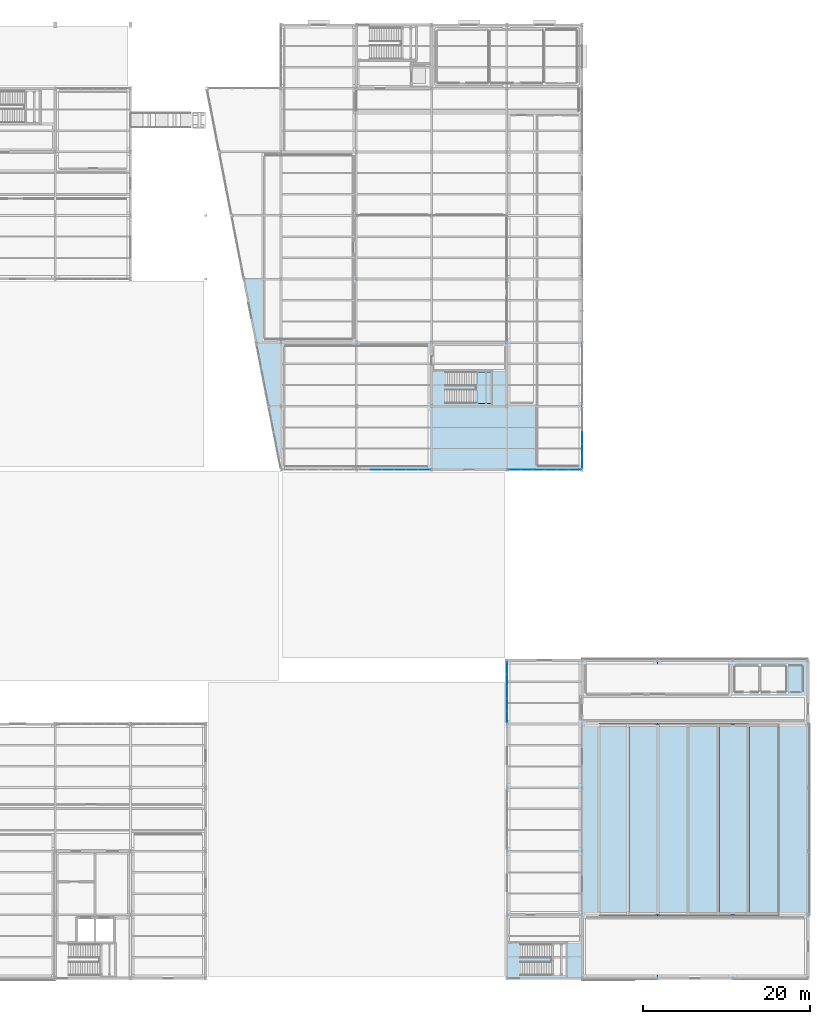
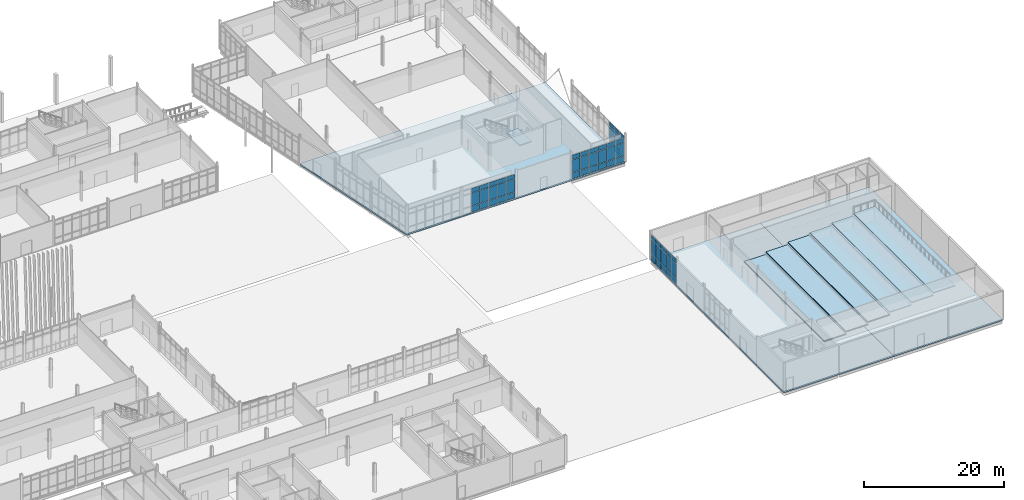
# One storey, part 132 of 161: 57 plates, 10 slabs, 5 elements without a shape of their own.
"""IFC4 building model written with IfcOpenShell, lengths in metres."""

from ifc_helpers import new_model, si_unit, direction, frame, origin, origin_2d, place, context, subcontext, project, spatial, polyline, rectangle, outline, extrude, material, layer, layer_set, type_object, element, aggregate, save


model = new_model("IFC4")

# Units and contexts
model_context = context("Model", 3, precision=1e-05, world=origin(), true_north=direction((0.0, 1.0)))
body_context = subcontext(model_context, "Body", "Model", "MODEL_VIEW")
ifc_project = project(units=[si_unit("LENGTHUNIT", "METRE"), si_unit("AREAUNIT", "SQUARE_METRE"), si_unit("VOLUMEUNIT", "CUBIC_METRE"), si_unit("PLANEANGLEUNIT", "RADIAN"), si_unit("MASSUNIT", "GRAM", prefix="KILO")], contexts=[model_context])

# Site, building, storey
site_placement = place(None, origin())
site = spatial("IfcSite", under=ifc_project, at=site_placement, CompositionType="ELEMENT")
building_placement = place(site_placement, origin())
building = spatial("IfcBuilding", under=site, at=building_placement, Name="Caisbarro Railhouse Central Library", CompositionType="ELEMENT")
storey_placement = place(building_placement, origin())
storey = spatial("IfcBuildingStorey", under=building, at=storey_placement, Name="L00", CompositionType="ELEMENT", Elevation=0.0)

# Curtain wall, plates
ifc_material_1 = material(Name="Anodised architectural aluminium", Category="aluminium")
curtain_wall_type_1 = type_object("IfcCurtainWallType", Name="CW-CW03", PredefinedType="NOTDEFINED", material=ifc_material_1)
curtain_wall_1_placement = place(storey_placement, origin())
curtain_wall_1 = element("IfcCurtainWall", 1, at=curtain_wall_1_placement, inside=storey, type_object=curtain_wall_type_1, Name="CW03 curtain wall L00 #106", PredefinedType="NOTDEFINED")
ifc_material_2 = material(Name="Double low-e laminated solar-control glass", Category="glass")
ifc_layer_1 = layer(ifc_material_2, 0.01806640625, Name="Double low-e laminated solar-control glass")
ifc_layer_set_1 = layer_set([ifc_layer_1], Name="Double low-e laminated solar-control glass")
plate_type_1 = type_object("IfcPlateType", Name="CWP-CP18", PredefinedType="CURTAIN_PANEL", material=ifc_layer_set_1)
plate_1_placement = place(storey_placement, frame((153.0, 61.704345703125, 0.06494140625), z_axis=(0.0, 0.0, 1.0), x_axis=(0.0, 1.0, 0.0)))
plate_1 = element("IfcPlate", 2, at=plate_1_placement, type_object=plate_type_1, Name="CW03 panel 1.1", PredefinedType="CURTAIN_PANEL", context=body_context, shape_type="SweptSolid", body=[
    extrude(rectangle(XDim=1.3583984375, YDim=0.01806640625, at=origin_2d()), origin(), (0.0, 0.0, 1.0), 1.0224609375),
])
plate_2_placement = place(storey_placement, frame((153.0, 61.704345703125, 1.15234375), z_axis=(0.0, 0.0, 1.0), x_axis=(0.0, 1.0, 0.0)))
plate_2 = element("IfcPlate", 3, at=plate_2_placement, type_object=plate_type_1, Name="CW03 panel 1.2", PredefinedType="CURTAIN_PANEL", context=body_context, shape_type="SweptSolid", body=[
    extrude(rectangle(XDim=1.3583984375, YDim=0.01806640625, at=origin_2d()), origin(), (0.0, 0.0, 1.0), 2.264892578125),
])
plate_3_placement = place(storey_placement, frame((153.0, 61.704345703125, 3.482421875), z_axis=(0.0, 0.0, 1.0), x_axis=(0.0, 1.0, 0.0)))
plate_3 = element("IfcPlate", 4, at=plate_3_placement, type_object=plate_type_1, Name="CW03 panel 1.3", PredefinedType="CURTAIN_PANEL", context=body_context, shape_type="SweptSolid", body=[
    extrude(rectangle(XDim=1.3583984375, YDim=0.01806640625, at=origin_2d()), origin(), (0.0, 0.0, 1.0), 0.75244140625),
])
plate_4_placement = place(storey_placement, frame((153.0, 63.14404296875, 0.06494140625), z_axis=(0.0, 0.0, 1.0), x_axis=(0.0, 1.0, 0.0)))
plate_4 = element("IfcPlate", 5, at=plate_4_placement, type_object=plate_type_1, Name="CW03 panel 2.1", PredefinedType="CURTAIN_PANEL", context=body_context, shape_type="SweptSolid", body=[
    extrude(rectangle(XDim=1.39111328125, YDim=0.01806640625, at=origin_2d()), origin(), (0.0, 0.0, 1.0), 1.0224609375),
])
plate_5_placement = place(storey_placement, frame((153.0, 63.14404296875, 1.15234375), z_axis=(0.0, 0.0, 1.0), x_axis=(0.0, 1.0, 0.0)))
plate_5 = element("IfcPlate", 6, at=plate_5_placement, type_object=plate_type_1, Name="CW03 panel 2.2", PredefinedType="CURTAIN_PANEL", context=body_context, shape_type="SweptSolid", body=[
    extrude(rectangle(XDim=1.39111328125, YDim=0.01806640625, at=origin_2d()), origin(), (0.0, 0.0, 1.0), 2.264892578125),
])
plate_6_placement = place(storey_placement, frame((153.0, 63.14404296875, 3.482421875), z_axis=(0.0, 0.0, 1.0), x_axis=(0.0, 1.0, 0.0)))
plate_6 = element("IfcPlate", 7, at=plate_6_placement, type_object=plate_type_1, Name="CW03 panel 2.3", PredefinedType="CURTAIN_PANEL", context=body_context, shape_type="SweptSolid", body=[
    extrude(rectangle(XDim=1.39111328125, YDim=0.01806640625, at=origin_2d()), origin(), (0.0, 0.0, 1.0), 0.75244140625),
])
plate_7_placement = place(storey_placement, frame((153.0, 64.60009765625, 0.06494140625), z_axis=(0.0, 0.0, 1.0), x_axis=(0.0, 1.0, 0.0)))
plate_7 = element("IfcPlate", 8, at=plate_7_placement, type_object=plate_type_1, Name="CW03 panel 3.1", PredefinedType="CURTAIN_PANEL", context=body_context, shape_type="SweptSolid", body=[
    extrude(rectangle(XDim=1.39111328125, YDim=0.01806640625, at=origin_2d()), origin(), (0.0, 0.0, 1.0), 1.0224609375),
])
plate_8_placement = place(storey_placement, frame((153.0, 64.60009765625, 1.15234375), z_axis=(0.0, 0.0, 1.0), x_axis=(0.0, 1.0, 0.0)))
plate_8 = element("IfcPlate", 9, at=plate_8_placement, type_object=plate_type_1, Name="CW03 panel 3.2", PredefinedType="CURTAIN_PANEL", context=body_context, shape_type="SweptSolid", body=[
    extrude(rectangle(XDim=1.39111328125, YDim=0.01806640625, at=origin_2d()), origin(), (0.0, 0.0, 1.0), 2.264892578125),
])
plate_9_placement = place(storey_placement, frame((153.0, 64.60009765625, 3.482421875), z_axis=(0.0, 0.0, 1.0), x_axis=(0.0, 1.0, 0.0)))
plate_9 = element("IfcPlate", 10, at=plate_9_placement, type_object=plate_type_1, Name="CW03 panel 3.3", PredefinedType="CURTAIN_PANEL", context=body_context, shape_type="SweptSolid", body=[
    extrude(rectangle(XDim=1.39111328125, YDim=0.01806640625, at=origin_2d()), origin(), (0.0, 0.0, 1.0), 0.75244140625),
])
aggregate(curtain_wall_1, [plate_1, plate_2, plate_3, plate_4, plate_5, plate_6, plate_7, plate_8, plate_9])

curtain_wall_type_2 = type_object("IfcCurtainWallType", Name="CW-CW02", PredefinedType="NOTDEFINED", material=ifc_material_1)
curtain_wall_2_placement = place(storey_placement, origin())
curtain_wall_2 = element("IfcCurtainWall", 11, at=curtain_wall_2_placement, inside=storey, type_object=curtain_wall_type_2, Name="CW02 curtain wall L00 #104", PredefinedType="NOTDEFINED")
ifc_layer_2 = layer(ifc_material_2, 0.028076171875, Name="Double low-e laminated solar-control glass")
ifc_layer_set_2 = layer_set([ifc_layer_2], Name="Double low-e laminated solar-control glass")
plate_type_2 = type_object("IfcPlateType", Name="CWP-CP28", PredefinedType="CURTAIN_PANEL", material=ifc_layer_set_2)
plate_10_placement = place(storey_placement, frame((128.330078125, 60.800048828125, 0.0751953125), z_axis=(0.0, 0.0, 1.0), x_axis=(1.0, 0.0, 0.0)))
plate_10 = element("IfcPlate", 12, at=plate_10_placement, type_object=plate_type_2, Name="CW02 panel 2.1", PredefinedType="CURTAIN_PANEL", context=body_context, shape_type="SweptSolid", body=[
    extrude(rectangle(XDim=1.37158203125, YDim=0.028076171875, at=origin_2d()), origin(), (0.0, 0.0, 1.0), 1.007568359375),
])
plate_11_placement = place(storey_placement, frame((128.330078125, 60.800048828125, 1.157470703125), z_axis=(0.0, 0.0, 1.0), x_axis=(1.0, 0.0, 0.0)))
plate_11 = element("IfcPlate", 13, at=plate_11_placement, type_object=plate_type_2, Name="CW02 panel 2.2", PredefinedType="CURTAIN_PANEL", context=body_context, shape_type="SweptSolid", body=[
    extrude(rectangle(XDim=1.37158203125, YDim=0.028076171875, at=origin_2d()), origin(), (0.0, 0.0, 1.0), 2.205078125),
])
plate_12_placement = place(storey_placement, frame((128.330078125, 60.800048828125, 3.4375), z_axis=(0.0, 0.0, 1.0), x_axis=(1.0, 0.0, 0.0)))
plate_12 = element("IfcPlate", 14, at=plate_12_placement, type_object=plate_type_2, Name="CW02 panel 2.3", PredefinedType="CURTAIN_PANEL", context=body_context, shape_type="SweptSolid", body=[
    extrude(rectangle(XDim=1.37158203125, YDim=0.028076171875, at=origin_2d()), origin(), (0.0, 0.0, 1.0), 0.737548828125),
])
plate_13_placement = place(storey_placement, frame((129.776611328125, 60.800048828125, 0.0751953125), z_axis=(0.0, 0.0, 1.0), x_axis=(1.0, 0.0, 0.0)))
plate_13 = element("IfcPlate", 15, at=plate_13_placement, type_object=plate_type_2, Name="CW02 panel 3.1", PredefinedType="CURTAIN_PANEL", context=body_context, shape_type="SweptSolid", body=[
    extrude(rectangle(XDim=1.37158203125, YDim=0.028076171875, at=origin_2d()), origin(), (0.0, 0.0, 1.0), 1.007568359375),
])
plate_14_placement = place(storey_placement, frame((129.776611328125, 60.800048828125, 1.157470703125), z_axis=(0.0, 0.0, 1.0), x_axis=(1.0, 0.0, 0.0)))
plate_14 = element("IfcPlate", 16, at=plate_14_placement, type_object=plate_type_2, Name="CW02 panel 3.2", PredefinedType="CURTAIN_PANEL", context=body_context, shape_type="SweptSolid", body=[
    extrude(rectangle(XDim=1.37158203125, YDim=0.028076171875, at=origin_2d()), origin(), (0.0, 0.0, 1.0), 2.205078125),
])
plate_15_placement = place(storey_placement, frame((129.776611328125, 60.800048828125, 3.4375), z_axis=(0.0, 0.0, 1.0), x_axis=(1.0, 0.0, 0.0)))
plate_15 = element("IfcPlate", 17, at=plate_15_placement, type_object=plate_type_2, Name="CW02 panel 3.3", PredefinedType="CURTAIN_PANEL", context=body_context, shape_type="SweptSolid", body=[
    extrude(rectangle(XDim=1.37158203125, YDim=0.028076171875, at=origin_2d()), origin(), (0.0, 0.0, 1.0), 0.737548828125),
])
plate_16_placement = place(storey_placement, frame((131.223388671875, 60.800048828125, 0.0751953125), z_axis=(0.0, 0.0, 1.0), x_axis=(1.0, 0.0, 0.0)))
plate_16 = element("IfcPlate", 18, at=plate_16_placement, type_object=plate_type_2, Name="CW02 panel 4.1", PredefinedType="CURTAIN_PANEL", context=body_context, shape_type="SweptSolid", body=[
    extrude(rectangle(XDim=1.37158203125, YDim=0.028076171875, at=origin_2d()), origin(), (0.0, 0.0, 1.0), 1.007568359375),
])
plate_17_placement = place(storey_placement, frame((131.223388671875, 60.800048828125, 1.157470703125), z_axis=(0.0, 0.0, 1.0), x_axis=(1.0, 0.0, 0.0)))
plate_17 = element("IfcPlate", 19, at=plate_17_placement, type_object=plate_type_2, Name="CW02 panel 4.2", PredefinedType="CURTAIN_PANEL", context=body_context, shape_type="SweptSolid", body=[
    extrude(rectangle(XDim=1.37158203125, YDim=0.028076171875, at=origin_2d()), origin(), (0.0, 0.0, 1.0), 2.205078125),
])
plate_18_placement = place(storey_placement, frame((131.223388671875, 60.800048828125, 3.4375), z_axis=(0.0, 0.0, 1.0), x_axis=(1.0, 0.0, 0.0)))
plate_18 = element("IfcPlate", 20, at=plate_18_placement, type_object=plate_type_2, Name="CW02 panel 4.3", PredefinedType="CURTAIN_PANEL", context=body_context, shape_type="SweptSolid", body=[
    extrude(rectangle(XDim=1.37158203125, YDim=0.028076171875, at=origin_2d()), origin(), (0.0, 0.0, 1.0), 0.737548828125),
])
plate_19_placement = place(storey_placement, frame((132.669921875, 60.800048828125, 0.0751953125), z_axis=(0.0, 0.0, 1.0), x_axis=(1.0, 0.0, 0.0)))
plate_19 = element("IfcPlate", 21, at=plate_19_placement, type_object=plate_type_2, Name="CW02 panel 5.1", PredefinedType="CURTAIN_PANEL", context=body_context, shape_type="SweptSolid", body=[
    extrude(rectangle(XDim=1.37158203125, YDim=0.028076171875, at=origin_2d()), origin(), (0.0, 0.0, 1.0), 1.007568359375),
])
plate_20_placement = place(storey_placement, frame((132.669921875, 60.800048828125, 1.157470703125), z_axis=(0.0, 0.0, 1.0), x_axis=(1.0, 0.0, 0.0)))
plate_20 = element("IfcPlate", 22, at=plate_20_placement, type_object=plate_type_2, Name="CW02 panel 5.2", PredefinedType="CURTAIN_PANEL", context=body_context, shape_type="SweptSolid", body=[
    extrude(rectangle(XDim=1.37158203125, YDim=0.028076171875, at=origin_2d()), origin(), (0.0, 0.0, 1.0), 2.205078125),
])
plate_21_placement = place(storey_placement, frame((132.669921875, 60.800048828125, 3.4375), z_axis=(0.0, 0.0, 1.0), x_axis=(1.0, 0.0, 0.0)))
plate_21 = element("IfcPlate", 23, at=plate_21_placement, type_object=plate_type_2, Name="CW02 panel 5.3", PredefinedType="CURTAIN_PANEL", context=body_context, shape_type="SweptSolid", body=[
    extrude(rectangle(XDim=1.37158203125, YDim=0.028076171875, at=origin_2d()), origin(), (0.0, 0.0, 1.0), 0.737548828125),
])
plate_22_placement = place(storey_placement, frame((134.097900390625, 60.800048828125, 0.0751953125), z_axis=(0.0, 0.0, 1.0), x_axis=(1.0, 0.0, 0.0)))
plate_22 = element("IfcPlate", 24, at=plate_22_placement, type_object=plate_type_2, Name="CW02 panel 6.1", PredefinedType="CURTAIN_PANEL", context=body_context, shape_type="SweptSolid", body=[
    extrude(rectangle(XDim=1.334228515625, YDim=0.028076171875, at=origin_2d()), origin(), (0.0, 0.0, 1.0), 1.007568359375),
])
plate_23_placement = place(storey_placement, frame((134.097900390625, 60.800048828125, 1.157470703125), z_axis=(0.0, 0.0, 1.0), x_axis=(1.0, 0.0, 0.0)))
plate_23 = element("IfcPlate", 25, at=plate_23_placement, type_object=plate_type_2, Name="CW02 panel 6.2", PredefinedType="CURTAIN_PANEL", context=body_context, shape_type="SweptSolid", body=[
    extrude(rectangle(XDim=1.334228515625, YDim=0.028076171875, at=origin_2d()), origin(), (0.0, 0.0, 1.0), 2.205078125),
])
plate_24_placement = place(storey_placement, frame((134.097900390625, 60.800048828125, 3.4375), z_axis=(0.0, 0.0, 1.0), x_axis=(1.0, 0.0, 0.0)))
plate_24 = element("IfcPlate", 26, at=plate_24_placement, type_object=plate_type_2, Name="CW02 panel 6.3", PredefinedType="CURTAIN_PANEL", context=body_context, shape_type="SweptSolid", body=[
    extrude(rectangle(XDim=1.334228515625, YDim=0.028076171875, at=origin_2d()), origin(), (0.0, 0.0, 1.0), 0.737548828125),
])
aggregate(curtain_wall_2, [plate_10, plate_11, plate_12, plate_13, plate_14, plate_15, plate_16, plate_17, plate_18, plate_19, plate_20, plate_21, plate_22, plate_23, plate_24])

curtain_wall_3_placement = place(storey_placement, origin())
curtain_wall_3 = element("IfcCurtainWall", 27, at=curtain_wall_3_placement, inside=storey, type_object=curtain_wall_type_2, Name="CW02 curtain wall L00 #105", PredefinedType="NOTDEFINED")
plate_25_placement = place(storey_placement, frame((144.902099609375, 60.800048828125, 0.0751953125), z_axis=(0.0, 0.0, 1.0), x_axis=(1.0, 0.0, 0.0)))
plate_25 = element("IfcPlate", 28, at=plate_25_placement, type_object=plate_type_2, Name="CW02 panel 1.1", PredefinedType="CURTAIN_PANEL", context=body_context, shape_type="SweptSolid", body=[
    extrude(rectangle(XDim=1.334228515625, YDim=0.028076171875, at=origin_2d()), origin(), (0.0, 0.0, 1.0), 1.007568359375),
])
plate_26_placement = place(storey_placement, frame((144.902099609375, 60.800048828125, 1.157470703125), z_axis=(0.0, 0.0, 1.0), x_axis=(1.0, 0.0, 0.0)))
plate_26 = element("IfcPlate", 29, at=plate_26_placement, type_object=plate_type_2, Name="CW02 panel 1.2", PredefinedType="CURTAIN_PANEL", context=body_context, shape_type="SweptSolid", body=[
    extrude(rectangle(XDim=1.334228515625, YDim=0.028076171875, at=origin_2d()), origin(), (0.0, 0.0, 1.0), 2.205078125),
])
plate_27_placement = place(storey_placement, frame((144.902099609375, 60.800048828125, 3.4375), z_axis=(0.0, 0.0, 1.0), x_axis=(1.0, 0.0, 0.0)))
plate_27 = element("IfcPlate", 30, at=plate_27_placement, type_object=plate_type_2, Name="CW02 panel 1.3", PredefinedType="CURTAIN_PANEL", context=body_context, shape_type="SweptSolid", body=[
    extrude(rectangle(XDim=1.334228515625, YDim=0.028076171875, at=origin_2d()), origin(), (0.0, 0.0, 1.0), 0.737548828125),
])
plate_28_placement = place(storey_placement, frame((146.330078125, 60.800048828125, 0.0751953125), z_axis=(0.0, 0.0, 1.0), x_axis=(1.0, 0.0, 0.0)))
plate_28 = element("IfcPlate", 31, at=plate_28_placement, type_object=plate_type_2, Name="CW02 panel 2.1", PredefinedType="CURTAIN_PANEL", context=body_context, shape_type="SweptSolid", body=[
    extrude(rectangle(XDim=1.37158203125, YDim=0.028076171875, at=origin_2d()), origin(), (0.0, 0.0, 1.0), 1.007568359375),
])
plate_29_placement = place(storey_placement, frame((146.330078125, 60.800048828125, 1.157470703125), z_axis=(0.0, 0.0, 1.0), x_axis=(1.0, 0.0, 0.0)))
plate_29 = element("IfcPlate", 32, at=plate_29_placement, type_object=plate_type_2, Name="CW02 panel 2.2", PredefinedType="CURTAIN_PANEL", context=body_context, shape_type="SweptSolid", body=[
    extrude(rectangle(XDim=1.37158203125, YDim=0.028076171875, at=origin_2d()), origin(), (0.0, 0.0, 1.0), 2.205078125),
])
plate_30_placement = place(storey_placement, frame((146.330078125, 60.800048828125, 3.4375), z_axis=(0.0, 0.0, 1.0), x_axis=(1.0, 0.0, 0.0)))
plate_30 = element("IfcPlate", 33, at=plate_30_placement, type_object=plate_type_2, Name="CW02 panel 2.3", PredefinedType="CURTAIN_PANEL", context=body_context, shape_type="SweptSolid", body=[
    extrude(rectangle(XDim=1.37158203125, YDim=0.028076171875, at=origin_2d()), origin(), (0.0, 0.0, 1.0), 0.737548828125),
])
plate_31_placement = place(storey_placement, frame((147.776611328125, 60.800048828125, 0.0751953125), z_axis=(0.0, 0.0, 1.0), x_axis=(1.0, 0.0, 0.0)))
plate_31 = element("IfcPlate", 34, at=plate_31_placement, type_object=plate_type_2, Name="CW02 panel 3.1", PredefinedType="CURTAIN_PANEL", context=body_context, shape_type="SweptSolid", body=[
    extrude(rectangle(XDim=1.37158203125, YDim=0.028076171875, at=origin_2d()), origin(), (0.0, 0.0, 1.0), 1.007568359375),
])
plate_32_placement = place(storey_placement, frame((147.776611328125, 60.800048828125, 1.157470703125), z_axis=(0.0, 0.0, 1.0), x_axis=(1.0, 0.0, 0.0)))
plate_32 = element("IfcPlate", 35, at=plate_32_placement, type_object=plate_type_2, Name="CW02 panel 3.2", PredefinedType="CURTAIN_PANEL", context=body_context, shape_type="SweptSolid", body=[
    extrude(rectangle(XDim=1.37158203125, YDim=0.028076171875, at=origin_2d()), origin(), (0.0, 0.0, 1.0), 2.205078125),
])
plate_33_placement = place(storey_placement, frame((147.776611328125, 60.800048828125, 3.4375), z_axis=(0.0, 0.0, 1.0), x_axis=(1.0, 0.0, 0.0)))
plate_33 = element("IfcPlate", 36, at=plate_33_placement, type_object=plate_type_2, Name="CW02 panel 3.3", PredefinedType="CURTAIN_PANEL", context=body_context, shape_type="SweptSolid", body=[
    extrude(rectangle(XDim=1.37158203125, YDim=0.028076171875, at=origin_2d()), origin(), (0.0, 0.0, 1.0), 0.737548828125),
])
plate_34_placement = place(storey_placement, frame((149.223388671875, 60.800048828125, 0.0751953125), z_axis=(0.0, 0.0, 1.0), x_axis=(1.0, 0.0, 0.0)))
plate_34 = element("IfcPlate", 37, at=plate_34_placement, type_object=plate_type_2, Name="CW02 panel 4.1", PredefinedType="CURTAIN_PANEL", context=body_context, shape_type="SweptSolid", body=[
    extrude(rectangle(XDim=1.37158203125, YDim=0.028076171875, at=origin_2d()), origin(), (0.0, 0.0, 1.0), 1.007568359375),
])
plate_35_placement = place(storey_placement, frame((149.223388671875, 60.800048828125, 1.157470703125), z_axis=(0.0, 0.0, 1.0), x_axis=(1.0, 0.0, 0.0)))
plate_35 = element("IfcPlate", 38, at=plate_35_placement, type_object=plate_type_2, Name="CW02 panel 4.2", PredefinedType="CURTAIN_PANEL", context=body_context, shape_type="SweptSolid", body=[
    extrude(rectangle(XDim=1.37158203125, YDim=0.028076171875, at=origin_2d()), origin(), (0.0, 0.0, 1.0), 2.205078125),
])
plate_36_placement = place(storey_placement, frame((149.223388671875, 60.800048828125, 3.4375), z_axis=(0.0, 0.0, 1.0), x_axis=(1.0, 0.0, 0.0)))
plate_36 = element("IfcPlate", 39, at=plate_36_placement, type_object=plate_type_2, Name="CW02 panel 4.3", PredefinedType="CURTAIN_PANEL", context=body_context, shape_type="SweptSolid", body=[
    extrude(rectangle(XDim=1.37158203125, YDim=0.028076171875, at=origin_2d()), origin(), (0.0, 0.0, 1.0), 0.737548828125),
])
plate_37_placement = place(storey_placement, frame((150.669921875, 60.800048828125, 0.0751953125), z_axis=(0.0, 0.0, 1.0), x_axis=(1.0, 0.0, 0.0)))
plate_37 = element("IfcPlate", 40, at=plate_37_placement, type_object=plate_type_2, Name="CW02 panel 5.1", PredefinedType="CURTAIN_PANEL", context=body_context, shape_type="SweptSolid", body=[
    extrude(rectangle(XDim=1.37158203125, YDim=0.028076171875, at=origin_2d()), origin(), (0.0, 0.0, 1.0), 1.007568359375),
])
plate_38_placement = place(storey_placement, frame((150.669921875, 60.800048828125, 1.157470703125), z_axis=(0.0, 0.0, 1.0), x_axis=(1.0, 0.0, 0.0)))
plate_38 = element("IfcPlate", 41, at=plate_38_placement, type_object=plate_type_2, Name="CW02 panel 5.2", PredefinedType="CURTAIN_PANEL", context=body_context, shape_type="SweptSolid", body=[
    extrude(rectangle(XDim=1.37158203125, YDim=0.028076171875, at=origin_2d()), origin(), (0.0, 0.0, 1.0), 2.205078125),
])
plate_39_placement = place(storey_placement, frame((150.669921875, 60.800048828125, 3.4375), z_axis=(0.0, 0.0, 1.0), x_axis=(1.0, 0.0, 0.0)))
plate_39 = element("IfcPlate", 42, at=plate_39_placement, type_object=plate_type_2, Name="CW02 panel 5.3", PredefinedType="CURTAIN_PANEL", context=body_context, shape_type="SweptSolid", body=[
    extrude(rectangle(XDim=1.37158203125, YDim=0.028076171875, at=origin_2d()), origin(), (0.0, 0.0, 1.0), 0.737548828125),
])
plate_40_placement = place(storey_placement, frame((152.097900390625, 60.800048828125, 0.0751953125), z_axis=(0.0, 0.0, 1.0), x_axis=(1.0, 0.0, 0.0)))
plate_40 = element("IfcPlate", 43, at=plate_40_placement, type_object=plate_type_2, Name="CW02 panel 6.1", PredefinedType="CURTAIN_PANEL", context=body_context, shape_type="SweptSolid", body=[
    extrude(rectangle(XDim=1.334228515625, YDim=0.028076171875, at=origin_2d()), origin(), (0.0, 0.0, 1.0), 1.007568359375),
])
plate_41_placement = place(storey_placement, frame((152.097900390625, 60.800048828125, 1.157470703125), z_axis=(0.0, 0.0, 1.0), x_axis=(1.0, 0.0, 0.0)))
plate_41 = element("IfcPlate", 44, at=plate_41_placement, type_object=plate_type_2, Name="CW02 panel 6.2", PredefinedType="CURTAIN_PANEL", context=body_context, shape_type="SweptSolid", body=[
    extrude(rectangle(XDim=1.334228515625, YDim=0.028076171875, at=origin_2d()), origin(), (0.0, 0.0, 1.0), 2.205078125),
])
plate_42_placement = place(storey_placement, frame((152.097900390625, 60.800048828125, 3.4375), z_axis=(0.0, 0.0, 1.0), x_axis=(1.0, 0.0, 0.0)))
plate_42 = element("IfcPlate", 45, at=plate_42_placement, type_object=plate_type_2, Name="CW02 panel 6.3", PredefinedType="CURTAIN_PANEL", context=body_context, shape_type="SweptSolid", body=[
    extrude(rectangle(XDim=1.334228515625, YDim=0.028076171875, at=origin_2d()), origin(), (0.0, 0.0, 1.0), 0.737548828125),
])
aggregate(curtain_wall_3, [plate_25, plate_26, plate_27, plate_28, plate_29, plate_30, plate_31, plate_32, plate_33, plate_34, plate_35, plate_36, plate_37, plate_38, plate_39, plate_40, plate_41, plate_42])

curtain_wall_type_3 = type_object("IfcCurtainWallType", Name="CW-CW01", PredefinedType="NOTDEFINED", material=ifc_material_1)
curtain_wall_4_placement = place(storey_placement, origin())
curtain_wall_4 = element("IfcCurtainWall", 46, at=curtain_wall_4_placement, inside=storey, type_object=curtain_wall_type_3, Name="CW01 curtain wall L00 #87", PredefinedType="NOTDEFINED")
ifc_layer_3 = layer(ifc_material_2, 0.0380859375, Name="Double low-e laminated solar-control glass")
ifc_layer_set_3 = layer_set([ifc_layer_3], Name="Double low-e laminated solar-control glass")
plate_type_3 = type_object("IfcPlateType", Name="CWP-CP38", PredefinedType="CURTAIN_PANEL", material=ifc_layer_set_3)
plate_43_placement = place(storey_placement, frame((144.0, 31.306640625, 0.0751953125), z_axis=(0.0, 0.0, 1.0), x_axis=(0.0, 1.0, 0.0)))
plate_43 = element("IfcPlate", 47, at=plate_43_placement, type_object=plate_type_3, Name="CW01 panel 1.1", PredefinedType="CURTAIN_PANEL", context=body_context, shape_type="SweptSolid", body=[
    extrude(rectangle(XDim=1.343505859375, YDim=0.0380859375, at=origin_2d()), origin(), (0.0, 0.0, 1.0), 1.007568359375),
])
plate_44_placement = place(storey_placement, frame((144.0, 31.306640625, 1.1572265625), z_axis=(0.0, 0.0, 1.0), x_axis=(0.0, 1.0, 0.0)))
plate_44 = element("IfcPlate", 48, at=plate_44_placement, type_object=plate_type_3, Name="CW01 panel 1.2", PredefinedType="CURTAIN_PANEL", context=body_context, shape_type="SweptSolid", body=[
    extrude(rectangle(XDim=1.343505859375, YDim=0.0380859375, at=origin_2d()), origin(), (0.0, 0.0, 1.0), 2.445068359375),
])
plate_45_placement = place(storey_placement, frame((144.0, 31.306640625, 3.67724609375), z_axis=(0.0, 0.0, 1.0), x_axis=(0.0, 1.0, 0.0)))
plate_45 = element("IfcPlate", 49, at=plate_45_placement, type_object=plate_type_3, Name="CW01 panel 1.3", PredefinedType="CURTAIN_PANEL", context=body_context, shape_type="SweptSolid", body=[
    extrude(rectangle(XDim=1.343505859375, YDim=0.0380859375, at=origin_2d()), origin(), (0.0, 0.0, 1.0), 0.737548828125),
])
plate_46_placement = place(storey_placement, frame((144.0, 32.743896484375, 0.0751953125), z_axis=(0.0, 0.0, 1.0), x_axis=(0.0, 1.0, 0.0)))
plate_46 = element("IfcPlate", 50, at=plate_46_placement, type_object=plate_type_3, Name="CW01 panel 2.1", PredefinedType="CURTAIN_PANEL", context=body_context, shape_type="SweptSolid", body=[
    extrude(rectangle(XDim=1.381103515625, YDim=0.0380859375, at=origin_2d()), origin(), (0.0, 0.0, 1.0), 1.007568359375),
])
plate_47_placement = place(storey_placement, frame((144.0, 32.743896484375, 1.1572265625), z_axis=(0.0, 0.0, 1.0), x_axis=(0.0, 1.0, 0.0)))
plate_47 = element("IfcPlate", 51, at=plate_47_placement, type_object=plate_type_3, Name="CW01 panel 2.2", PredefinedType="CURTAIN_PANEL", context=body_context, shape_type="SweptSolid", body=[
    extrude(rectangle(XDim=1.381103515625, YDim=0.0380859375, at=origin_2d()), origin(), (0.0, 0.0, 1.0), 2.445068359375),
])
plate_48_placement = place(storey_placement, frame((144.0, 32.743896484375, 3.67724609375), z_axis=(0.0, 0.0, 1.0), x_axis=(0.0, 1.0, 0.0)))
plate_48 = element("IfcPlate", 52, at=plate_48_placement, type_object=plate_type_3, Name="CW01 panel 2.3", PredefinedType="CURTAIN_PANEL", context=body_context, shape_type="SweptSolid", body=[
    extrude(rectangle(XDim=1.381103515625, YDim=0.0380859375, at=origin_2d()), origin(), (0.0, 0.0, 1.0), 0.737548828125),
])
plate_49_placement = place(storey_placement, frame((144.0, 34.199951171875, 0.0751953125), z_axis=(0.0, 0.0, 1.0), x_axis=(0.0, 1.0, 0.0)))
plate_49 = element("IfcPlate", 53, at=plate_49_placement, type_object=plate_type_3, Name="CW01 panel 3.1", PredefinedType="CURTAIN_PANEL", context=body_context, shape_type="SweptSolid", body=[
    extrude(rectangle(XDim=1.381103515625, YDim=0.0380859375, at=origin_2d()), origin(), (0.0, 0.0, 1.0), 1.007568359375),
])
plate_50_placement = place(storey_placement, frame((144.0, 34.199951171875, 1.1572265625), z_axis=(0.0, 0.0, 1.0), x_axis=(0.0, 1.0, 0.0)))
plate_50 = element("IfcPlate", 54, at=plate_50_placement, type_object=plate_type_3, Name="CW01 panel 3.2", PredefinedType="CURTAIN_PANEL", context=body_context, shape_type="SweptSolid", body=[
    extrude(rectangle(XDim=1.381103515625, YDim=0.0380859375, at=origin_2d()), origin(), (0.0, 0.0, 1.0), 2.445068359375),
])
plate_51_placement = place(storey_placement, frame((144.0, 34.199951171875, 3.67724609375), z_axis=(0.0, 0.0, 1.0), x_axis=(0.0, 1.0, 0.0)))
plate_51 = element("IfcPlate", 55, at=plate_51_placement, type_object=plate_type_3, Name="CW01 panel 3.3", PredefinedType="CURTAIN_PANEL", context=body_context, shape_type="SweptSolid", body=[
    extrude(rectangle(XDim=1.381103515625, YDim=0.0380859375, at=origin_2d()), origin(), (0.0, 0.0, 1.0), 0.737548828125),
])
plate_52_placement = place(storey_placement, frame((144.0, 35.656005859375, 0.0751953125), z_axis=(0.0, 0.0, 1.0), x_axis=(0.0, 1.0, 0.0)))
plate_52 = element("IfcPlate", 56, at=plate_52_placement, type_object=plate_type_3, Name="CW01 panel 4.1", PredefinedType="CURTAIN_PANEL", context=body_context, shape_type="SweptSolid", body=[
    extrude(rectangle(XDim=1.381103515625, YDim=0.0380859375, at=origin_2d()), origin(), (0.0, 0.0, 1.0), 1.007568359375),
])
plate_53_placement = place(storey_placement, frame((144.0, 35.656005859375, 1.1572265625), z_axis=(0.0, 0.0, 1.0), x_axis=(0.0, 1.0, 0.0)))
plate_53 = element("IfcPlate", 57, at=plate_53_placement, type_object=plate_type_3, Name="CW01 panel 4.2", PredefinedType="CURTAIN_PANEL", context=body_context, shape_type="SweptSolid", body=[
    extrude(rectangle(XDim=1.381103515625, YDim=0.0380859375, at=origin_2d()), origin(), (0.0, 0.0, 1.0), 2.445068359375),
])
plate_54_placement = place(storey_placement, frame((144.0, 35.656005859375, 3.67724609375), z_axis=(0.0, 0.0, 1.0), x_axis=(0.0, 1.0, 0.0)))
plate_54 = element("IfcPlate", 58, at=plate_54_placement, type_object=plate_type_3, Name="CW01 panel 4.3", PredefinedType="CURTAIN_PANEL", context=body_context, shape_type="SweptSolid", body=[
    extrude(rectangle(XDim=1.381103515625, YDim=0.0380859375, at=origin_2d()), origin(), (0.0, 0.0, 1.0), 0.737548828125),
])
plate_55_placement = place(storey_placement, frame((144.0, 37.09326171875, 0.0751953125), z_axis=(0.0, 0.0, 1.0), x_axis=(0.0, 1.0, 0.0)))
plate_55 = element("IfcPlate", 59, at=plate_55_placement, type_object=plate_type_3, Name="CW01 panel 5.1", PredefinedType="CURTAIN_PANEL", context=body_context, shape_type="SweptSolid", body=[
    extrude(rectangle(XDim=1.343505859375, YDim=0.0380859375, at=origin_2d()), origin(), (0.0, 0.0, 1.0), 1.007568359375),
])
plate_56_placement = place(storey_placement, frame((144.0, 37.09326171875, 1.1572265625), z_axis=(0.0, 0.0, 1.0), x_axis=(0.0, 1.0, 0.0)))
plate_56 = element("IfcPlate", 60, at=plate_56_placement, type_object=plate_type_3, Name="CW01 panel 5.2", PredefinedType="CURTAIN_PANEL", context=body_context, shape_type="SweptSolid", body=[
    extrude(rectangle(XDim=1.343505859375, YDim=0.0380859375, at=origin_2d()), origin(), (0.0, 0.0, 1.0), 2.445068359375),
])
plate_57_placement = place(storey_placement, frame((144.0, 37.09326171875, 3.67724609375), z_axis=(0.0, 0.0, 1.0), x_axis=(0.0, 1.0, 0.0)))
plate_57 = element("IfcPlate", 61, at=plate_57_placement, type_object=plate_type_3, Name="CW01 panel 5.3", PredefinedType="CURTAIN_PANEL", context=body_context, shape_type="SweptSolid", body=[
    extrude(rectangle(XDim=1.343505859375, YDim=0.0380859375, at=origin_2d()), origin(), (0.0, 0.0, 1.0), 0.737548828125),
])
aggregate(curtain_wall_4, [plate_43, plate_44, plate_45, plate_46, plate_47, plate_48, plate_49, plate_50, plate_51, plate_52, plate_53, plate_54, plate_55, plate_56, plate_57])

# Slabs
ifc_material_3 = material(Name="Concrete C35", Category="concrete")
ifc_layer_4 = layer(ifc_material_3, 0.159912109375, Name="Concrete C35")
ifc_layer_set_4 = layer_set([ifc_layer_4], Name="Concrete C35")
slab_type_1 = type_object("IfcSlabType", Name="SLB-AUD16", PredefinedType="FLOOR", material=ifc_layer_set_4)
slab_1_placement = place(storey_placement, frame((0.0, 0.0, 0.199951171875)))
element("IfcSlab", 62, at=slab_1_placement, inside=storey, type_object=slab_type_1, Name="Auditorium Raked Seating Tier 1", PredefinedType="FLOOR", context=body_context, shape_type="SweptSolid", body=[
    extrude(outline(polyline([(155.0, 7.60009765625), (158.60009765625, 7.60009765625), (158.60009765625, 30.39990234375), (155.0, 30.39990234375), (155.0, 7.60009765625)])), origin(), (0.0, 0.0, 1.0), 0.16015625),
])
slab_2_placement = place(storey_placement, frame((0.0, 0.0, 0.6201171875)))
element("IfcSlab", 63, at=slab_2_placement, inside=storey, type_object=slab_type_1, Name="Auditorium Raked Seating Tier 2", PredefinedType="FLOOR", context=body_context, shape_type="SweptSolid", body=[
    extrude(outline(polyline([(158.60009765625, 7.60009765625), (162.199951171875, 7.60009765625), (162.199951171875, 30.39990234375), (158.60009765625, 30.39990234375), (158.60009765625, 7.60009765625)])), origin(), (0.0, 0.0, 1.0), 0.159912109375),
])
slab_3_placement = place(storey_placement, frame((0.0, 0.0, 1.0400390625)))
element("IfcSlab", 64, at=slab_3_placement, inside=storey, type_object=slab_type_1, Name="Auditorium Raked Seating Tier 3", PredefinedType="FLOOR", context=body_context, shape_type="SweptSolid", body=[
    extrude(outline(polyline([(162.199951171875, 7.60009765625), (165.800048828125, 7.60009765625), (165.800048828125, 30.39990234375), (162.199951171875, 30.39990234375), (162.199951171875, 7.60009765625)])), origin(), (0.0, 0.0, 1.0), 0.159912109375),
])
slab_4_placement = place(storey_placement, frame((0.0, 0.0, 1.4599609375)))
element("IfcSlab", 65, at=slab_4_placement, inside=storey, type_object=slab_type_1, Name="Auditorium Raked Seating Tier 4", PredefinedType="FLOOR", context=body_context, shape_type="SweptSolid", body=[
    extrude(outline(polyline([(165.800048828125, 7.60009765625), (169.39990234375, 7.60009765625), (169.39990234375, 30.39990234375), (165.800048828125, 30.39990234375), (165.800048828125, 7.60009765625)])), origin(), (0.0, 0.0, 1.0), 0.16015625),
])
slab_5_placement = place(storey_placement, frame((0.0, 0.0, 1.8798828125)))
element("IfcSlab", 66, at=slab_5_placement, inside=storey, type_object=slab_type_1, Name="Auditorium Raked Seating Tier 5", PredefinedType="FLOOR", context=body_context, shape_type="SweptSolid", body=[
    extrude(outline(polyline([(169.39990234375, 7.60009765625), (173.0, 7.60009765625), (173.0, 30.39990234375), (169.39990234375, 30.39990234375), (169.39990234375, 7.60009765625)])), origin(), (0.0, 0.0, 1.0), 0.16015625),
])
slab_6_placement = place(storey_placement, frame((0.0, 0.0, 2.300048828125)))
element("IfcSlab", 67, at=slab_6_placement, inside=storey, type_object=slab_type_1, Name="Auditorium Raked Seating Tier 6", PredefinedType="FLOOR", context=body_context, shape_type="SweptSolid", body=[
    extrude(outline(polyline([(173.0, 7.60009765625), (176.60009765625, 7.60009765625), (176.60009765625, 30.39990234375), (173.0, 30.39990234375), (173.0, 7.60009765625)])), origin(), (0.0, 0.0, 1.0), 0.159912109375),
])
ifc_layer_5 = layer(ifc_material_3, 0.25, Name="Concrete C35")
ifc_layer_set_5 = layer_set([ifc_layer_5], Name="Concrete C35")
slab_type_2 = type_object("IfcSlabType", Name="SLB-BS25", PredefinedType="BASESLAB", material=ifc_layer_set_5)
slab_7_placement = place(storey_placement, frame((0.0, 0.0, -0.25)))
element("IfcSlab", 68, at=slab_7_placement, inside=storey, type_object=slab_type_2, Name="SB25 structural slab L00 V3.1", PredefinedType="BASESLAB", context=body_context, shape_type="SweptSolid", body=[
    extrude(outline(polyline([(144.0, 0.0), (162.0, 0.0), (162.0, 38.0), (144.0, 38.0), (144.0, 0.0)])), origin(), (0.0, 0.0, 1.0), 0.25),
])
slab_8_placement = place(storey_placement, frame((0.0, 0.0, -0.25)))
element("IfcSlab", 69, at=slab_8_placement, inside=storey, type_object=slab_type_2, Name="SB25 structural slab L00 V3.2", PredefinedType="BASESLAB", context=body_context, shape_type="SweptSolid", body=[
    extrude(outline(polyline([(162.0, 0.0), (180.0, 0.0), (180.0, 38.0), (162.0, 38.0), (162.0, 0.0)])), origin(), (0.0, 0.0, 1.0), 0.25),
])
slab_9_placement = place(storey_placement, frame((0.0, 0.0, -0.25)))
element("IfcSlab", 70, at=slab_9_placement, inside=storey, type_object=slab_type_2, Name="SB25 structural slab L00 V4.1", PredefinedType="BASESLAB", context=body_context, shape_type="SweptSolid", body=[
    extrude(outline(polyline([(117.0, 60.800048828125), (153.0, 60.800048828125), (153.0, 83.60009765625), (112.568115234375, 83.60009765625), (117.0, 60.800048828125)])), origin(), (0.0, 0.0, 1.0), 0.25),
])

# Stair, slab
stair_type = type_object("IfcStairType", Name="STR-ST50", PredefinedType="HALF_TURN_STAIR", material=ifc_material_3)
stair_placement = place(storey_placement, origin())
stair = element("IfcStair", 71, at=stair_placement, inside=storey, type_object=stair_type, Name="Protected Stair ST-07 (L00)", PredefinedType="HALF_TURN_STAIR")
ifc_layer_6 = layer(ifc_material_3, 0.18994140625, Name="Concrete C35")
ifc_layer_set_6 = layer_set([ifc_layer_6], Name="Concrete C35")
slab_type_3 = type_object("IfcSlabType", Name="SLB-LND19", PredefinedType="LANDING", material=ifc_layer_set_6)
slab_10_placement = place(storey_placement, frame((0.0, 0.0, 2.330078125)))
slab_10 = element("IfcSlab", 72, at=slab_10_placement, type_object=slab_type_3, Name="ST-07 landing 1", PredefinedType="LANDING", context=body_context, shape_type="SweptSolid", body=[
    extrude(outline(polyline([(140.199951171875, 68.739990234375), (142.1201171875, 68.739990234375), (142.1201171875, 72.510009765625), (140.199951171875, 72.510009765625), (140.199951171875, 68.739990234375)])), origin(), (0.0, 0.0, 1.0), 0.18994140625),
])
aggregate(stair, [slab_10])

save(model, "model.ifc")
